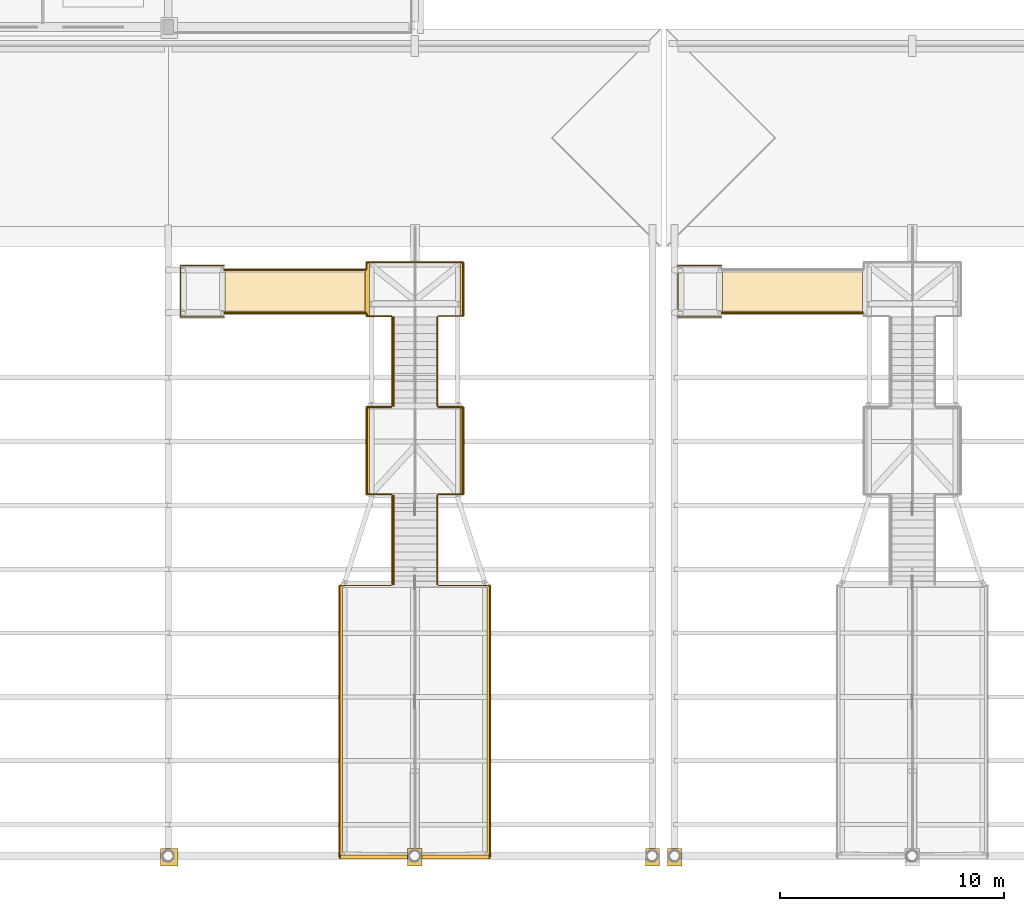
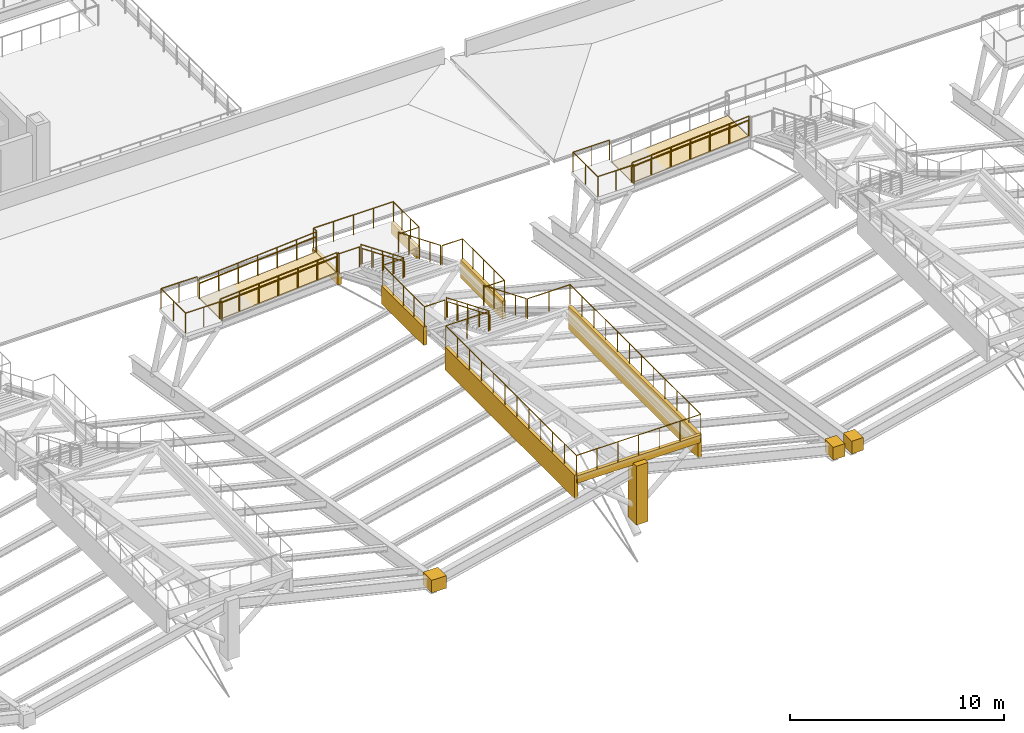
# One storey, part 37 of 43: 19 railings, 13 coverings.
"""IFC4 building model written with IfcOpenShell, lengths in metres."""

import ifcopenshell
import ifcopenshell.guid

model = None  # the IFC model being written
_history = None  # IfcOwnerHistory: only IFC2X3 demands one
_inside = {}  # id of a spatial element -> (the spatial element, [elements in it])
_under = {}  # id of a project, library or spatial element -> (it, [spatial elements below it])
_declared = {}  # id of a project -> (the project, [libraries it declares])
_typed = {}  # id of a type object -> (the type object, [elements of that type])
_made_of = {}  # id of a material, layer set ... -> (it, [elements and type objects made of it])


def new_model(schema):
    """Start an empty IFC model of exactly this schema.

    Asked for "IFC4X3", IfcOpenShell would pick the latest addendum, in which some entities
    have other attributes; the version numbers below select the first issue.
    IFC2X3 requires an IfcOwnerHistory on every rooted entity: one is made here for all.
    """
    global model, _history
    if schema == "IFC4X3":
        model = ifcopenshell.file(schema_version=(4, 3, 0, 0))
    else:
        model = ifcopenshell.file(schema=schema)
    _inside.clear()
    _under.clear()
    _declared.clear()
    _typed.clear()
    _made_of.clear()
    _history = None
    if model.schema == "IFC2X3":
        org = make("IfcOrganization", Name="unknown")
        user = make(
            "IfcPersonAndOrganization",
            ThePerson=make("IfcPerson", FamilyName="unknown"),
            TheOrganization=org,
        )
        app = make(
            "IfcApplication",
            ApplicationDeveloper=org,
            Version="unknown",
            ApplicationFullName="unknown",
            ApplicationIdentifier="unknown",
        )
        _history = make(
            "IfcOwnerHistory",
            OwningUser=user,
            OwningApplication=app,
            ChangeAction="ADDED",
            CreationDate=0,
        )
    return model


def make(cls, **values):
    """One entity of the class cls with the attributes given. An attribute that is None is left unset."""
    return model.create_entity(
        cls, **{name: value for name, value in values.items() if value is not None}
    )


def rooted(cls, **values):
    """An entity with a GlobalId (a new one), such as an element, a storey or a relation."""
    return make(cls, GlobalId=ifcopenshell.guid.new(), OwnerHistory=_history, **values)


def si_unit(unit_type, name, prefix=None):
    """IfcSIUnit, for example si_unit("LENGTHUNIT", "METRE", prefix="MILLI")."""
    return make("IfcSIUnit", UnitType=unit_type, Prefix=prefix, Name=name)


def assignment(units):
    """IfcUnitAssignment: the units of a project."""
    return None if units is None else make("IfcUnitAssignment", Units=units)


def point(xyz):
    """IfcCartesianPoint."""
    return None if xyz is None else make("IfcCartesianPoint", Coordinates=xyz)


def direction(xyz):
    """IfcDirection."""
    return None if xyz is None else make("IfcDirection", DirectionRatios=xyz)


def frame(location, z_axis=None, x_axis=None):
    """IfcAxis2Placement3D, a coordinate frame: its origin and axes. An axis left out is left unset."""
    return make(
        "IfcAxis2Placement3D",
        Location=point(location),
        Axis=direction(z_axis),
        RefDirection=direction(x_axis),
    )


def frame_2d(location, x_axis=None):
    """IfcAxis2Placement2D, a coordinate frame in the plane: its origin and x axis."""
    return make(
        "IfcAxis2Placement2D", Location=point(location), RefDirection=direction(x_axis)
    )


def origin():
    """The frame at (0, 0, 0) with its axes left unset."""
    return frame((0.0, 0.0, 0.0))


def origin_2d():
    """The frame at (0, 0) in the plane with its x axis left unset."""
    return frame_2d((0.0, 0.0))


def place(relative_to, where):
    """IfcLocalPlacement: puts the frame where relative to a parent placement (None: the world)."""
    return make(
        "IfcLocalPlacement", PlacementRelTo=relative_to, RelativePlacement=where
    )


def context(
    kind, dimensions, precision=None, world=None, true_north=None, identifier=None
):
    """IfcGeometricRepresentationContext, for example the 3D "Model" context."""
    return make(
        "IfcGeometricRepresentationContext",
        ContextIdentifier=identifier,
        ContextType=kind,
        CoordinateSpaceDimension=dimensions,
        Precision=precision,
        WorldCoordinateSystem=world,
        TrueNorth=true_north,
    )


def subcontext(parent, identifier, kind, view, scale=None):
    """IfcGeometricRepresentationSubContext, for example "Body" below "Model"."""
    return make(
        "IfcGeometricRepresentationSubContext",
        ContextIdentifier=identifier,
        ContextType=kind,
        ParentContext=parent,
        TargetScale=scale,
        TargetView=view,
    )


def project(units=None, contexts=None):
    """IfcProject with its units and contexts."""
    return rooted(
        "IfcProject",
        Name="project",
        RepresentationContexts=contexts,
        UnitsInContext=assignment(units),
    )


def spatial(cls, under=None, at=None, **own):
    """A site, building, storey or space (cls), placed at a placement, below another one or the project."""
    s = rooted(cls, ObjectPlacement=at, **own)
    if under is not None:
        _under.setdefault(under.id(), (under, []))[1].append(s)
    return s


def polyline(points):
    """IfcPolyline through the points."""
    return make("IfcPolyline", Points=[point(p) for p in points])


def profile(cls, at=None, kind="AREA", **sizes):
    """A parametric profile (cls). Its sizes go by their IFC names, for example OverallWidth=200.0."""
    return make(cls, ProfileType=kind, Position=at, **sizes)


def rectangle(**sizes):
    """IfcRectangleProfileDef."""
    return profile("IfcRectangleProfileDef", **sizes)


def circle(**sizes):
    """IfcCircleProfileDef."""
    return profile("IfcCircleProfileDef", **sizes)


def outline(outer, holes=None, kind="AREA"):
    """IfcArbitraryClosedProfileDef: a profile drawn as a closed curve; with holes, ...WithVoids."""
    if holes is None:
        return make("IfcArbitraryClosedProfileDef", ProfileType=kind, OuterCurve=outer)
    return make(
        "IfcArbitraryProfileDefWithVoids",
        ProfileType=kind,
        OuterCurve=outer,
        InnerCurves=holes,
    )


def extrude(swept, where, along, depth):
    """IfcExtrudedAreaSolid: the profile swept, set in the frame where, extruded along a direction by depth."""
    return make(
        "IfcExtrudedAreaSolid",
        SweptArea=swept,
        Position=where,
        ExtrudedDirection=direction(along),
        Depth=depth,
    )


def shape(context_of_items, identifier, shape_type, items):
    """IfcShapeRepresentation: the items that make up one representation, for example the "Body"."""
    return make(
        "IfcShapeRepresentation",
        ContextOfItems=context_of_items,
        RepresentationIdentifier=identifier,
        RepresentationType=shape_type,
        Items=items,
    )


def material(Name=None, Category=None):
    """IfcMaterial."""
    return make("IfcMaterial", Name=Name, Category=Category)


def layer(
    of_material, thickness, ventilated=None, Name=None, Category=None, Priority=None
):
    """IfcMaterialLayer: one layer of a wall or slab, of a material (None: an air gap)."""
    return make(
        "IfcMaterialLayer",
        Material=of_material,
        LayerThickness=thickness,
        IsVentilated=ventilated,
        Name=Name,
        Category=Category,
        Priority=Priority,
    )


def layer_set(layers, Name=None):
    """IfcMaterialLayerSet."""
    return make("IfcMaterialLayerSet", MaterialLayers=layers, LayerSetName=Name)


def made_of(thing, what):
    """Note that an element or type object is made of a material, layer set ...; save() writes the relation."""
    if what is not None:
        _made_of.setdefault(what.id(), (what, []))[1].append(thing)
    return thing


def type_object(cls, material=None, **own):
    """A type object (cls), such as IfcWallType, which elements share."""
    return made_of(rooted(cls, **own), material)


def element(
    cls,
    number,
    at=None,
    inside=None,
    cuts=None,
    type_object=None,
    material=None,
    context=None,
    identifier="Body",
    shape_type=None,
    held_by="IfcProductDefinitionShape",
    body=None,
    shapes=None,
    **own,
):
    """One element of the class cls, such as IfcWall. Its Tag is "e" and its number.

    at: its placement. inside: the storey or other place that contains it. cuts: it is an
    opening in that element (IfcRelVoidsElement). A single representation is given by context,
    identifier, shape_type and body (its items); several are given by shapes. held_by: the class
    of the entity that holds the representations. save() writes the other relations.
    """
    e = rooted(cls, Tag="e%d" % number, ObjectPlacement=at, **own)
    if body is not None:
        shapes = [shape(context, identifier, shape_type, body)]
    if shapes is not None:
        e.Representation = make(held_by, Representations=shapes)
    if inside is not None:
        _inside.setdefault(inside.id(), (inside, []))[1].append(e)
    if cuts is not None:
        rooted(
            "IfcRelVoidsElement", RelatingBuildingElement=cuts, RelatedOpeningElement=e
        )
    if type_object is not None:
        _typed.setdefault(type_object.id(), (type_object, []))[1].append(e)
    return made_of(e, material)


def aggregate(whole, parts):
    """IfcRelAggregates: a whole, such as a stair, and the parts it consists of."""
    return rooted("IfcRelAggregates", RelatingObject=whole, RelatedObjects=parts)


def save(model, path):
    """Write the relations noted so far, then the file.

    IfcRelAggregates (storeys below a building ...), IfcRelContainedInSpatialStructure (elements
    in a storey), IfcRelDefinesByType, IfcRelAssociatesMaterial and IfcRelDeclares: one each for
    every whole, place, type object, material and project.
    """
    for whole, parts in _under.values():
        aggregate(whole, parts)
    for where, things in _inside.values():
        rooted(
            "IfcRelContainedInSpatialStructure",
            RelatedElements=things,
            RelatingStructure=where,
        )
    for kind, things in _typed.values():
        rooted("IfcRelDefinesByType", RelatedObjects=things, RelatingType=kind)
    for what, things in _made_of.values():
        rooted("IfcRelAssociatesMaterial", RelatedObjects=things, RelatingMaterial=what)
    for by, libraries in _declared.values():
        rooted("IfcRelDeclares", RelatingContext=by, RelatedDefinitions=libraries)
    model.write(path)


model = new_model("IFC4")

# Units and contexts
model_context = context("Model", 3, precision=1e-05, world=origin(), true_north=direction((0.0, 1.0)))
body_context = subcontext(model_context, "Body", "Model", "MODEL_VIEW")
ifc_project = project(units=[si_unit("LENGTHUNIT", "METRE"), si_unit("AREAUNIT", "SQUARE_METRE"), si_unit("VOLUMEUNIT", "CUBIC_METRE"), si_unit("PLANEANGLEUNIT", "RADIAN"), si_unit("MASSUNIT", "GRAM", prefix="KILO")], contexts=[model_context])

# Site, building, storey
site_placement = place(None, origin())
site = spatial("IfcSite", under=ifc_project, at=site_placement, CompositionType="ELEMENT")
building_placement = place(site_placement, origin())
building = spatial("IfcBuilding", under=site, at=building_placement, Name="Caurita Quay Ferry Terminal", CompositionType="ELEMENT")
storey_placement = place(building_placement, frame((0.0, 0.0, 14.10009765625)))
storey = spatial("IfcBuildingStorey", under=building, at=storey_placement, Name="L03", CompositionType="ELEMENT", Elevation=14.10009765625)

# Coverings
ifc_material_1 = material(Name="Warm-white lime stucco masonry", Category="masonry")
ifc_layer_1 = layer(ifc_material_1, 0.360107421875, Name="Spanish Colonial semicircular lime-stucco portales arcade 360 mm")
ifc_layer_set_1 = layer_set([ifc_layer_1], Name="Warm-white lime stucco masonry")
covering_type_1 = type_object("IfcCoveringType", Name="COV-ARC-CLD", PredefinedType="CLADDING", material=ifc_layer_set_1)
for number, where, z_axis, x_axis, name in (
    (1, (73.679931640625, 46.64990234375, 2.349853515625), (0.0, 0.0, 1.0), (0.0, -1.0, 0.0), "Folded Roof Bay 4 Lookout Stucco Skirt 01"),
    (2, (80.320068359375, 34.550048828125, 2.349853515625), (0.0, 0.0, 1.0), (0.0, 1.0, 0.0), "Folded Roof Bay 4 Lookout Stucco Skirt 02"),
):
    element("IfcCovering", number, at=place(storey_placement, frame(where, z_axis=z_axis, x_axis=x_axis)), inside=storey, type_object=covering_type_1, Name=name, PredefinedType="CLADDING", context=body_context, shape_type="SweptSolid", body=[
        extrude(rectangle(XDim=12.099853515625, YDim=0.179931640625, at=frame_2d((6.0498046875, 0.0))), origin(), (0.0, 0.0, 1.0), 1.330078125),
    ])
covering_1_placement = place(storey_placement, frame((73.679931640625, 34.550048828125, 3.25), z_axis=(0.0, 0.0, 1.0), x_axis=(1.0, 0.0, 0.0)))
element("IfcCovering", 3, at=covering_1_placement, inside=storey, type_object=covering_type_1, Name="Folded Roof Bay 4 Lookout Stucco Skirt 03", PredefinedType="CLADDING", context=body_context, shape_type="SweptSolid", body=[
    extrude(rectangle(XDim=6.64013671875, YDim=0.179931640625, at=frame_2d((3.320068359375, 0.0))), origin(), (0.0, 0.0, 1.0), 0.429931640625),
])
for number, where, z_axis, x_axis, name in (
    (4, (74.8798828125, 54.64990234375, 0.849853515625), (0.0, 0.0, 1.0), (0.0, -1.0, 0.0), "Folded Roof Bay 4 Lookout Stucco Skirt 04"),
    (5, (79.1201171875, 50.72998046875, 0.849853515625), (0.0, 0.0, 1.0), (0.0, 1.0, 0.0), "Folded Roof Bay 4 Lookout Stucco Skirt 05"),
):
    element("IfcCovering", number, at=place(storey_placement, frame(where, z_axis=z_axis, x_axis=x_axis)), inside=storey, type_object=covering_type_1, Name=name, PredefinedType="CLADDING", context=body_context, shape_type="SweptSolid", body=[
        extrude(rectangle(XDim=3.919921875, YDim=0.179931640625, at=frame_2d((1.9599609375, 0.0))), origin(), (0.0, 0.0, 1.0), 1.030029296875),
    ])
for number, where, z_axis, x_axis, name in (
    (6, (74.8798828125, 61.10009765625, -0.550048828125), (0.0, 0.0, 1.0), (0.0, -1.0, 0.0), "Folded Roof Bay 4 Lookout Stucco Skirt 06"),
    (7, (79.1201171875, 58.699951171875, -0.550048828125), (0.0, 0.0, 1.0), (0.0, 1.0, 0.0), "Folded Roof Bay 4 Lookout Stucco Skirt 07"),
):
    element("IfcCovering", number, at=place(storey_placement, frame(where, z_axis=z_axis, x_axis=x_axis)), inside=storey, type_object=covering_type_1, Name=name, PredefinedType="CLADDING", context=body_context, shape_type="SweptSolid", body=[
        extrude(rectangle(XDim=2.400146484375, YDim=0.179931640625, at=frame_2d((1.2001953125, 0.0))), origin(), (0.0, 0.0, 1.0), 0.6298828125),
    ])
ifc_material_2 = material(Name="Polished marine terrazzo tile", Category="finish")
ifc_layer_2 = layer(ifc_material_2, 0.02490234375, Name="Polished marine terrazzo floor finish 25 mm")
ifc_layer_set_2 = layer_set([ifc_layer_2], Name="Polished marine terrazzo tile")
covering_type_2 = type_object("IfcCoveringType", Name="COV-FLR-025", PredefinedType="FLOORING", material=ifc_layer_set_2)
for number, where, z_axis, x_axis, name in (
    (8, (68.530029296875, 58.840087890625, -0.35009765625), (-0.071920937813, 0.0, 0.997410336173), (0.997410336173, 0.0, 0.071920937813), "Folded Roof Bay 4 Accessible Ramp Terrazzo Deck"),
    (9, (90.72998046875, 58.840087890625, -0.35009765625), (-0.071920937813, 0.0, 0.997410336173), (0.997410336173, 0.0, 0.071920937813), "Folded Roof Bay 5 Accessible Ramp Terrazzo Deck"),
):
    element("IfcCovering", number, at=place(storey_placement, frame(where, z_axis=z_axis, x_axis=x_axis)), inside=storey, type_object=covering_type_2, Name=name, PredefinedType="FLOORING", context=body_context, shape_type="SweptSolid", body=[
        extrude(outline(polyline([(0.0, 0.0), (6.256191667633518, 0.0), (6.256191667633518, 1.9199218750000004), (0.0, 1.9199218750000004), (0.0, 0.0)])), origin(), (0.0, 0.0, -1.0), 0.06005859375),
    ])
ifc_layer_3 = layer(ifc_material_1, 0.179931640625, Name="Classical engaged lime-stucco facade pilaster cladding 180 mm")
ifc_layer_set_3 = layer_set([ifc_layer_3], Name="Warm-white lime stucco masonry")
covering_type_3 = type_object("IfcCoveringType", Name="COV-PIL-CLD", PredefinedType="CLADDING", material=ifc_layer_set_3)
covering_2_placement = place(storey_placement, frame((66.050048828125, 34.550048828125, 0.0), z_axis=(0.0, 0.0, 1.0), x_axis=(1.0, 0.0, 0.0)))
element("IfcCovering", 10, at=covering_2_placement, inside=storey, type_object=covering_type_3, Name="L03 Classical Engaged Pilaster 0057", PredefinedType="CLADDING", context=body_context, shape_type="SweptSolid", body=[
    extrude(rectangle(XDim=0.7880859375, YDim=0.7880859375, at=origin_2d()), origin(), (0.0, 0.0, 1.0), 0.719970703125),
])
covering_3_placement = place(storey_placement, frame((77.0, 34.550048828125, 0.0), z_axis=(0.0, 0.0, 1.0), x_axis=(1.0, 0.0, 0.0)))
element("IfcCovering", 11, at=covering_3_placement, inside=storey, type_object=covering_type_3, Name="L03 Classical Engaged Pilaster 0064", PredefinedType="CLADDING", context=body_context, shape_type="SweptSolid", body=[
    extrude(rectangle(XDim=0.6279296875, YDim=0.7880859375, at=origin_2d()), origin(), (0.0, 0.0, 1.0), 3.360107421875),
])
for number, where, z_axis, x_axis, name in (
    (12, (87.60009765625, 34.550048828125, 0.0), (0.0, 0.0, 1.0), (1.0, 0.0, 0.0), "L03 Classical Engaged Pilaster 0072"),
    (13, (88.60009765625, 34.550048828125, 0.0), (0.0, 0.0, 1.0), (1.0, 0.0, 0.0), "L03 Classical Engaged Pilaster 0085"),
):
    element("IfcCovering", number, at=place(storey_placement, frame(where, z_axis=z_axis, x_axis=x_axis)), inside=storey, type_object=covering_type_3, Name=name, PredefinedType="CLADDING", context=body_context, shape_type="SweptSolid", body=[
        extrude(rectangle(XDim=0.6279296875, YDim=0.7880859375, at=origin_2d()), origin(), (0.0, 0.0, 1.0), 0.719970703125),
    ])

# Railings
ifc_material_3 = material(Name="Bronze architectural metalwork", Category="metal")
railing_type_1 = type_object("IfcRailingType", Name="RL-HND-090", PredefinedType="HANDRAIL", material=ifc_material_3)
railing_1_placement = place(storey_placement, frame((76.06005859375, 58.64990234375, 0.25)))
element("IfcRailing", 14, at=railing_1_placement, inside=storey, type_object=railing_type_1, Name="Waterside Peak Lookout 4 Handrail 1", PredefinedType="HANDRAIL", context=body_context, shape_type="SweptSolid", body=[
    extrude(circle(Radius=0.02392578125, at=origin_2d()), frame((0.0, 0.0, 0.8759765625), z_axis=(0.0, -0.923083657872, 0.384599220709), x_axis=(1.0, 0.0, 0.0)), (0.0, 0.0, 1.0), 4.2900390625),
    extrude(circle(Radius=0.02099609375, at=origin_2d()), origin(), (0.0, 0.0, 1.0), 0.851806640625),
    extrude(circle(Radius=0.02099609375, at=origin_2d()), frame((0.0, -0.989990234375, 0.41259765625)), (0.0, 0.0, 1.0), 0.851806640625),
    extrude(circle(Radius=0.02099609375, at=origin_2d()), frame((0.0, -1.97998046875, 0.824951171875)), (0.0, 0.0, 1.0), 0.851806640625),
    extrude(circle(Radius=0.02099609375, at=origin_2d()), frame((0.0, -2.969970703125, 1.2373046875)), (0.0, 0.0, 1.0), 0.851806640625),
    extrude(circle(Radius=0.02099609375, at=origin_2d()), frame((0.0, -3.9599609375, 1.64990234375)), (0.0, 0.0, 1.0), 0.851806640625),
])
railing_2_placement = place(storey_placement, frame((76.06005859375, 50.68994140625, 2.0498046875)))
element("IfcRailing", 15, at=railing_2_placement, inside=storey, type_object=railing_type_1, Name="Waterside Peak Lookout 4 Handrail 2", PredefinedType="HANDRAIL", context=body_context, shape_type="SweptSolid", body=[
    extrude(circle(Radius=0.02392578125, at=origin_2d()), frame((0.0, 0.0, 0.8759765625), z_axis=(0.0, -0.923063452933, 0.384647711367), x_axis=(1.0, 0.0, 0.0)), (0.0, 0.0, 1.0), 4.2900390625),
    extrude(circle(Radius=0.02099609375, at=origin_2d()), origin(), (0.0, 0.0, 1.0), 0.851806640625),
    extrude(circle(Radius=0.02099609375, at=origin_2d()), frame((0.0, -0.989990234375, 0.41259765625)), (0.0, 0.0, 1.0), 0.851806640625),
    extrude(circle(Radius=0.02099609375, at=origin_2d()), frame((0.0, -1.97998046875, 0.8251953125)), (0.0, 0.0, 1.0), 0.851806640625),
    extrude(circle(Radius=0.02099609375, at=origin_2d()), frame((0.0, -2.969970703125, 1.237548828125)), (0.0, 0.0, 1.0), 0.851806640625),
    extrude(circle(Radius=0.02099609375, at=origin_2d()), frame((0.0, -3.9599609375, 1.650146484375)), (0.0, 0.0, 1.0), 0.851806640625),
])
for number, where, name in (
    (16, (68.5, 58.860107421875, -0.35009765625), "Folded Roof Bay 4 Accessible Lookout Ramp Handrail 1"),
    (17, (68.5, 60.739990234375, -0.35009765625), "Folded Roof Bay 4 Accessible Lookout Ramp Handrail 2"),
    (18, (90.699951171875, 58.860107421875, -0.35009765625), "Folded Roof Bay 5 Accessible Lookout Ramp Handrail 1"),
):
    element("IfcRailing", number, at=place(storey_placement, frame(where)), inside=storey, type_object=railing_type_1, Name=name, PredefinedType="HANDRAIL", context=body_context, shape_type="SweptSolid", body=[
        extrude(circle(Radius=0.02392578125, at=origin_2d()), frame((0.0, 0.0, 0.8759765625), z_axis=(0.997459288432, 0.0, 0.07123880909), x_axis=(0.0, 1.0, 0.0)), (0.0, 0.0, 1.0), 6.316162109375),
        extrude(circle(Radius=0.02099609375, at=origin_2d()), origin(), (0.0, 0.0, 1.0), 0.851806640625),
        extrude(circle(Radius=0.02099609375, at=origin_2d()), frame((1.050048828125, 0.0, 0.074951171875)), (0.0, 0.0, 1.0), 0.851806640625),
        extrude(circle(Radius=0.02099609375, at=origin_2d()), frame((2.10009765625, 0.0, 0.14990234375)), (0.0, 0.0, 1.0), 0.851806640625),
        extrude(circle(Radius=0.02099609375, at=origin_2d()), frame((3.14990234375, 0.0, 0.22509765625)), (0.0, 0.0, 1.0), 0.851806640625),
        extrude(circle(Radius=0.02099609375, at=origin_2d()), frame((4.199951171875, 0.0, 0.300048828125)), (0.0, 0.0, 1.0), 0.851806640625),
        extrude(circle(Radius=0.02099609375, at=origin_2d()), frame((5.25, 0.0, 0.375)), (0.0, 0.0, 1.0), 0.851806640625),
        extrude(circle(Radius=0.02099609375, at=origin_2d()), frame((6.300048828125, 0.0, 0.449951171875)), (0.0, 0.0, 1.0), 0.851806640625),
    ])
railing_type_2 = type_object("IfcRailingType", Name="RL-REJA-115", PredefinedType="BALUSTRADE", material=ifc_material_3)
railing_3_placement = place(storey_placement, frame((75.949951171875, 58.699951171875, 0.099853515625)))
element("IfcRailing", 19, at=railing_3_placement, inside=storey, type_object=railing_type_2, Name="Waterside Peak Lookout 4 Guardrail 1", PredefinedType="BALUSTRADE", context=body_context, shape_type="SweptSolid", body=[
    extrude(circle(Radius=0.02392578125, at=origin_2d()), frame((0.0, 0.0, 1.1259765625), z_axis=(-1.0, 0.0, 0.0), x_axis=(0.0, -1.0, 0.0)), (0.0, 0.0, 1.0), 1.099853515625),
    extrude(circle(Radius=0.02392578125, at=origin_2d()), frame((-1.099853515625, 0.0, 1.1259765625), z_axis=(0.0, 1.0, 0.0), x_axis=(-1.0, 0.0, 0.0)), (0.0, 0.0, 1.0), 0.10009765625),
    extrude(circle(Radius=0.02099609375, at=origin_2d()), origin(), (0.0, 0.0, 1.0), 1.101806640625),
    extrude(circle(Radius=0.02099609375, at=origin_2d()), frame((-1.099853515625, 0.0, 0.0)), (0.0, 0.0, 1.0), 1.101806640625),
    extrude(circle(Radius=0.02099609375, at=origin_2d()), frame((-1.099853515625, 0.10009765625, 0.0)), (0.0, 0.0, 1.0), 1.101806640625),
])
railing_4_placement = place(storey_placement, frame((74.85009765625, 60.800048828125, 0.099853515625)))
element("IfcRailing", 20, at=railing_4_placement, inside=storey, type_object=railing_type_2, Name="Waterside Peak Lookout 4 Guardrail 2", PredefinedType="BALUSTRADE", context=body_context, shape_type="SweptSolid", body=[
    extrude(circle(Radius=0.02392578125, at=origin_2d()), frame((0.0, 0.0, 1.1259765625), z_axis=(0.0, 1.0, 0.0), x_axis=(-1.0, 0.0, 0.0)), (0.0, 0.0, 1.0), 0.300048828125),
    extrude(circle(Radius=0.02392578125, at=origin_2d()), frame((0.0, 0.300048828125, 1.1259765625), z_axis=(1.0, 0.0, 0.0), x_axis=(0.0, 1.0, 0.0)), (0.0, 0.0, 1.0), 4.2998046875),
    extrude(circle(Radius=0.02392578125, at=origin_2d()), frame((4.2998046875, 0.300048828125, 1.1259765625), z_axis=(0.0, -1.0, 0.0), x_axis=(1.0, 0.0, 0.0)), (0.0, 0.0, 1.0), 2.400146484375),
    extrude(circle(Radius=0.02392578125, at=origin_2d()), frame((4.2998046875, -2.10009765625, 1.1259765625), z_axis=(-1.0, 0.0, 0.0), x_axis=(0.0, -1.0, 0.0)), (0.0, 0.0, 1.0), 1.099853515625),
    extrude(circle(Radius=0.02099609375, at=origin_2d()), origin(), (0.0, 0.0, 1.0), 1.101806640625),
    extrude(circle(Radius=0.02099609375, at=origin_2d()), frame((0.0, 0.300048828125, 0.0)), (0.0, 0.0, 1.0), 1.101806640625),
    extrude(circle(Radius=0.02099609375, at=origin_2d()), frame((1.074951171875, 0.300048828125, 0.0)), (0.0, 0.0, 1.0), 1.101806640625),
    extrude(circle(Radius=0.02099609375, at=origin_2d()), frame((2.14990234375, 0.300048828125, 0.0)), (0.0, 0.0, 1.0), 1.101806640625),
    extrude(circle(Radius=0.02099609375, at=origin_2d()), frame((3.224853515625, 0.300048828125, 0.0)), (0.0, 0.0, 1.0), 1.101806640625),
    extrude(circle(Radius=0.02099609375, at=origin_2d()), frame((4.2998046875, 0.300048828125, 0.0)), (0.0, 0.0, 1.0), 1.101806640625),
    extrude(circle(Radius=0.02099609375, at=origin_2d()), frame((4.2998046875, -0.5, 0.0)), (0.0, 0.0, 1.0), 1.101806640625),
    extrude(circle(Radius=0.02099609375, at=origin_2d()), frame((4.2998046875, -1.300048828125, 0.0)), (0.0, 0.0, 1.0), 1.101806640625),
    extrude(circle(Radius=0.02099609375, at=origin_2d()), frame((4.2998046875, -2.10009765625, 0.0)), (0.0, 0.0, 1.0), 1.101806640625),
    extrude(circle(Radius=0.02099609375, at=origin_2d()), frame((3.199951171875, -2.10009765625, 0.0)), (0.0, 0.0, 1.0), 1.101806640625),
])
for number, where, name in (
    (21, (76.0, 58.64990234375, 0.25), "Waterside Peak Lookout 4 Guardrail 3"),
    (22, (78.0, 58.64990234375, 0.25), "Waterside Peak Lookout 4 Guardrail 4"),
):
    element("IfcRailing", number, at=place(storey_placement, frame(where)), inside=storey, type_object=railing_type_2, Name=name, PredefinedType="BALUSTRADE", context=body_context, shape_type="SweptSolid", body=[
        extrude(circle(Radius=0.02392578125, at=origin_2d()), frame((0.0, 0.0, 1.1259765625), z_axis=(0.0, -0.923083657872, 0.384599220709), x_axis=(1.0, 0.0, 0.0)), (0.0, 0.0, 1.0), 4.2900390625),
        extrude(circle(Radius=0.02099609375, at=origin_2d()), origin(), (0.0, 0.0, 1.0), 1.101806640625),
        extrude(circle(Radius=0.02099609375, at=origin_2d()), frame((0.0, -0.989990234375, 0.41259765625)), (0.0, 0.0, 1.0), 1.101806640625),
        extrude(circle(Radius=0.02099609375, at=origin_2d()), frame((0.0, -1.97998046875, 0.824951171875)), (0.0, 0.0, 1.0), 1.101806640625),
        extrude(circle(Radius=0.02099609375, at=origin_2d()), frame((0.0, -2.969970703125, 1.2373046875)), (0.0, 0.0, 1.0), 1.101806640625),
        extrude(circle(Radius=0.02099609375, at=origin_2d()), frame((0.0, -3.9599609375, 1.64990234375)), (0.0, 0.0, 1.0), 1.101806640625),
    ])
railing_5_placement = place(storey_placement, frame((75.949951171875, 54.639892578125, 1.89990234375)))
element("IfcRailing", 23, at=railing_5_placement, inside=storey, type_object=railing_type_2, Name="Waterside Peak Lookout 4 Guardrail 5", PredefinedType="BALUSTRADE", context=body_context, shape_type="SweptSolid", body=[
    extrude(circle(Radius=0.02392578125, at=origin_2d()), frame((0.0, 0.0, 1.1259765625), z_axis=(-1.0, 0.0, 0.0), x_axis=(0.0, -1.0, 0.0)), (0.0, 0.0, 1.0), 1.099853515625),
    extrude(circle(Radius=0.02392578125, at=origin_2d()), frame((-1.099853515625, 0.0, 1.1259765625), z_axis=(0.0, -1.0, 0.0), x_axis=(1.0, 0.0, 0.0)), (0.0, 0.0, 1.0), 3.89990234375),
    extrude(circle(Radius=0.02392578125, at=origin_2d()), frame((-1.099853515625, -3.89990234375, 1.1259765625), z_axis=(1.0, 0.0, 0.0), x_axis=(0.0, 1.0, 0.0)), (0.0, 0.0, 1.0), 1.099853515625),
    extrude(circle(Radius=0.02099609375, at=origin_2d()), origin(), (0.0, 0.0, 1.0), 1.101806640625),
    extrude(circle(Radius=0.02099609375, at=origin_2d()), frame((-1.099853515625, 0.0, 0.0)), (0.0, 0.0, 1.0), 1.101806640625),
    extrude(circle(Radius=0.02099609375, at=origin_2d()), frame((-1.099853515625, -0.97509765625, 0.0)), (0.0, 0.0, 1.0), 1.101806640625),
    extrude(circle(Radius=0.02099609375, at=origin_2d()), frame((-1.099853515625, -1.949951171875, 0.0)), (0.0, 0.0, 1.0), 1.101806640625),
    extrude(circle(Radius=0.02099609375, at=origin_2d()), frame((-1.099853515625, -2.9248046875, 0.0)), (0.0, 0.0, 1.0), 1.101806640625),
    extrude(circle(Radius=0.02099609375, at=origin_2d()), frame((-1.099853515625, -3.89990234375, 0.0)), (0.0, 0.0, 1.0), 1.101806640625),
    extrude(circle(Radius=0.02099609375, at=origin_2d()), frame((0.0, -3.89990234375, 0.0)), (0.0, 0.0, 1.0), 1.101806640625),
])
railing_6_placement = place(storey_placement, frame((78.050048828125, 54.639892578125, 1.89990234375)))
element("IfcRailing", 24, at=railing_6_placement, inside=storey, type_object=railing_type_2, Name="Waterside Peak Lookout 4 Guardrail 6", PredefinedType="BALUSTRADE", context=body_context, shape_type="SweptSolid", body=[
    extrude(circle(Radius=0.02392578125, at=origin_2d()), frame((0.0, 0.0, 1.1259765625), z_axis=(1.0, 0.0, 0.0), x_axis=(0.0, 1.0, 0.0)), (0.0, 0.0, 1.0), 1.099853515625),
    extrude(circle(Radius=0.02392578125, at=origin_2d()), frame((1.099853515625, 0.0, 1.1259765625), z_axis=(0.0, -1.0, 0.0), x_axis=(1.0, 0.0, 0.0)), (0.0, 0.0, 1.0), 3.89990234375),
    extrude(circle(Radius=0.02392578125, at=origin_2d()), frame((1.099853515625, -3.89990234375, 1.1259765625), z_axis=(-1.0, 0.0, 0.0), x_axis=(0.0, -1.0, 0.0)), (0.0, 0.0, 1.0), 1.099853515625),
    extrude(circle(Radius=0.02099609375, at=origin_2d()), origin(), (0.0, 0.0, 1.0), 1.101806640625),
    extrude(circle(Radius=0.02099609375, at=origin_2d()), frame((1.099853515625, 0.0, 0.0)), (0.0, 0.0, 1.0), 1.101806640625),
    extrude(circle(Radius=0.02099609375, at=origin_2d()), frame((1.099853515625, -0.97509765625, 0.0)), (0.0, 0.0, 1.0), 1.101806640625),
    extrude(circle(Radius=0.02099609375, at=origin_2d()), frame((1.099853515625, -1.949951171875, 0.0)), (0.0, 0.0, 1.0), 1.101806640625),
    extrude(circle(Radius=0.02099609375, at=origin_2d()), frame((1.099853515625, -2.9248046875, 0.0)), (0.0, 0.0, 1.0), 1.101806640625),
    extrude(circle(Radius=0.02099609375, at=origin_2d()), frame((1.099853515625, -3.89990234375, 0.0)), (0.0, 0.0, 1.0), 1.101806640625),
    extrude(circle(Radius=0.02099609375, at=origin_2d()), frame((0.0, -3.89990234375, 0.0)), (0.0, 0.0, 1.0), 1.101806640625),
])
for number, where, name in (
    (25, (76.0, 50.68994140625, 2.0498046875), "Waterside Peak Lookout 4 Guardrail 7"),
    (26, (78.0, 50.68994140625, 2.0498046875), "Waterside Peak Lookout 4 Guardrail 8"),
):
    element("IfcRailing", number, at=place(storey_placement, frame(where)), inside=storey, type_object=railing_type_2, Name=name, PredefinedType="BALUSTRADE", context=body_context, shape_type="SweptSolid", body=[
        extrude(circle(Radius=0.02392578125, at=origin_2d()), frame((0.0, 0.0, 1.1259765625), z_axis=(0.0, -0.923063452933, 0.384647711367), x_axis=(1.0, 0.0, 0.0)), (0.0, 0.0, 1.0), 4.2900390625),
        extrude(circle(Radius=0.02099609375, at=origin_2d()), origin(), (0.0, 0.0, 1.0), 1.101806640625),
        extrude(circle(Radius=0.02099609375, at=origin_2d()), frame((0.0, -0.989990234375, 0.41259765625)), (0.0, 0.0, 1.0), 1.101806640625),
        extrude(circle(Radius=0.02099609375, at=origin_2d()), frame((0.0, -1.97998046875, 0.8251953125)), (0.0, 0.0, 1.0), 1.101806640625),
        extrude(circle(Radius=0.02099609375, at=origin_2d()), frame((0.0, -2.969970703125, 1.237548828125)), (0.0, 0.0, 1.0), 1.101806640625),
        extrude(circle(Radius=0.02099609375, at=origin_2d()), frame((0.0, -3.9599609375, 1.650146484375)), (0.0, 0.0, 1.0), 1.101806640625),
    ])
railing_7_placement = place(storey_placement, frame((75.949951171875, 46.679931640625, 3.699951171875)))
element("IfcRailing", 27, at=railing_7_placement, inside=storey, type_object=railing_type_2, Name="Waterside Peak Lookout 4 Guardrail 9", PredefinedType="BALUSTRADE", context=body_context, shape_type="SweptSolid", body=[
    extrude(circle(Radius=0.02392578125, at=origin_2d()), frame((0.0, 0.0, 1.1259765625), z_axis=(-1.0, 0.0, 0.0), x_axis=(0.0, -1.0, 0.0)), (0.0, 0.0, 1.0), 2.300048828125),
    extrude(circle(Radius=0.02392578125, at=origin_2d()), frame((-2.300048828125, 0.0, 1.1259765625), z_axis=(0.0, -1.0, 0.0), x_axis=(1.0, 0.0, 0.0)), (0.0, 0.0, 1.0), 12.179931640625),
    extrude(circle(Radius=0.02392578125, at=origin_2d()), frame((-2.300048828125, -12.179931640625, 1.1259765625), z_axis=(1.0, 0.0, 0.0), x_axis=(0.0, 1.0, 0.0)), (0.0, 0.0, 1.0), 6.7001953125),
    extrude(circle(Radius=0.02392578125, at=origin_2d()), frame((4.400146484375, -12.179931640625, 1.1259765625), z_axis=(0.0, 1.0, 0.0), x_axis=(-1.0, 0.0, 0.0)), (0.0, 0.0, 1.0), 12.179931640625),
    extrude(circle(Radius=0.02392578125, at=origin_2d()), frame((4.400146484375, 0.0, 1.1259765625), z_axis=(-1.0, 0.0, 0.0), x_axis=(0.0, -1.0, 0.0)), (0.0, 0.0, 1.0), 2.300048828125),
    extrude(circle(Radius=0.02099609375, at=origin_2d()), origin(), (0.0, 0.0, 1.0), 1.101806640625),
    extrude(circle(Radius=0.02099609375, at=origin_2d()), frame((-1.14990234375, 0.0, 0.0)), (0.0, 0.0, 1.0), 1.101806640625),
    extrude(circle(Radius=0.02099609375, at=origin_2d()), frame((-2.300048828125, 0.0, 0.0)), (0.0, 0.0, 1.0), 1.101806640625),
    extrude(circle(Radius=0.02099609375, at=origin_2d()), frame((-2.300048828125, -1.107177734375, 0.0)), (0.0, 0.0, 1.0), 1.101806640625),
    extrude(circle(Radius=0.02099609375, at=origin_2d()), frame((-2.300048828125, -2.214599609375, 0.0)), (0.0, 0.0, 1.0), 1.101806640625),
    extrude(circle(Radius=0.02099609375, at=origin_2d()), frame((-2.300048828125, -3.32177734375, 0.0)), (0.0, 0.0, 1.0), 1.101806640625),
    extrude(circle(Radius=0.02099609375, at=origin_2d()), frame((-2.300048828125, -4.428955078125, 0.0)), (0.0, 0.0, 1.0), 1.101806640625),
    extrude(circle(Radius=0.02099609375, at=origin_2d()), frame((-2.300048828125, -5.536376953125, 0.0)), (0.0, 0.0, 1.0), 1.101806640625),
    extrude(circle(Radius=0.02099609375, at=origin_2d()), frame((-2.300048828125, -6.6435546875, 0.0)), (0.0, 0.0, 1.0), 1.101806640625),
    extrude(circle(Radius=0.02099609375, at=origin_2d()), frame((-2.300048828125, -7.7509765625, 0.0)), (0.0, 0.0, 1.0), 1.101806640625),
    extrude(circle(Radius=0.02099609375, at=origin_2d()), frame((-2.300048828125, -8.858154296875, 0.0)), (0.0, 0.0, 1.0), 1.101806640625),
    extrude(circle(Radius=0.02099609375, at=origin_2d()), frame((-2.300048828125, -9.96533203125, 0.0)), (0.0, 0.0, 1.0), 1.101806640625),
    extrude(circle(Radius=0.02099609375, at=origin_2d()), frame((-2.300048828125, -11.07275390625, 0.0)), (0.0, 0.0, 1.0), 1.101806640625),
    extrude(circle(Radius=0.02099609375, at=origin_2d()), frame((-2.300048828125, -12.179931640625, 0.0)), (0.0, 0.0, 1.0), 1.101806640625),
    extrude(circle(Radius=0.02099609375, at=origin_2d()), frame((-1.183349609375, -12.179931640625, 0.0)), (0.0, 0.0, 1.0), 1.101806640625),
    extrude(circle(Radius=0.02099609375, at=origin_2d()), frame((-0.066650390625, -12.179931640625, 0.0)), (0.0, 0.0, 1.0), 1.101806640625),
    extrude(circle(Radius=0.02099609375, at=origin_2d()), frame((1.050048828125, -12.179931640625, 0.0)), (0.0, 0.0, 1.0), 1.101806640625),
    extrude(circle(Radius=0.02099609375, at=origin_2d()), frame((2.166748046875, -12.179931640625, 0.0)), (0.0, 0.0, 1.0), 1.101806640625),
    extrude(circle(Radius=0.02099609375, at=origin_2d()), frame((3.283447265625, -12.179931640625, 0.0)), (0.0, 0.0, 1.0), 1.101806640625),
    extrude(circle(Radius=0.02099609375, at=origin_2d()), frame((4.400146484375, -12.179931640625, 0.0)), (0.0, 0.0, 1.0), 1.101806640625),
    extrude(circle(Radius=0.02099609375, at=origin_2d()), frame((4.400146484375, -11.07275390625, 0.0)), (0.0, 0.0, 1.0), 1.101806640625),
    extrude(circle(Radius=0.02099609375, at=origin_2d()), frame((4.400146484375, -9.96533203125, 0.0)), (0.0, 0.0, 1.0), 1.101806640625),
    extrude(circle(Radius=0.02099609375, at=origin_2d()), frame((4.400146484375, -8.858154296875, 0.0)), (0.0, 0.0, 1.0), 1.101806640625),
    extrude(circle(Radius=0.02099609375, at=origin_2d()), frame((4.400146484375, -7.7509765625, 0.0)), (0.0, 0.0, 1.0), 1.101806640625),
    extrude(circle(Radius=0.02099609375, at=origin_2d()), frame((4.400146484375, -6.6435546875, 0.0)), (0.0, 0.0, 1.0), 1.101806640625),
    extrude(circle(Radius=0.02099609375, at=origin_2d()), frame((4.400146484375, -5.536376953125, 0.0)), (0.0, 0.0, 1.0), 1.101806640625),
    extrude(circle(Radius=0.02099609375, at=origin_2d()), frame((4.400146484375, -4.428955078125, 0.0)), (0.0, 0.0, 1.0), 1.101806640625),
    extrude(circle(Radius=0.02099609375, at=origin_2d()), frame((4.400146484375, -3.32177734375, 0.0)), (0.0, 0.0, 1.0), 1.101806640625),
    extrude(circle(Radius=0.02099609375, at=origin_2d()), frame((4.400146484375, -2.214599609375, 0.0)), (0.0, 0.0, 1.0), 1.101806640625),
    extrude(circle(Radius=0.02099609375, at=origin_2d()), frame((4.400146484375, -1.107177734375, 0.0)), (0.0, 0.0, 1.0), 1.101806640625),
    extrude(circle(Radius=0.02099609375, at=origin_2d()), frame((4.400146484375, 0.0, 0.0)), (0.0, 0.0, 1.0), 1.101806640625),
    extrude(circle(Radius=0.02099609375, at=origin_2d()), frame((3.25, 0.0, 0.0)), (0.0, 0.0, 1.0), 1.101806640625),
    extrude(circle(Radius=0.02099609375, at=origin_2d()), frame((2.10009765625, 0.0, 0.0)), (0.0, 0.0, 1.0), 1.101806640625),
])
railing_8_placement = place(storey_placement, frame((68.5, 58.64990234375, -0.35009765625)))
element("IfcRailing", 28, at=railing_8_placement, inside=storey, type_object=railing_type_2, Name="Folded Roof Bay 4 Accessible Lookout Ramp Landing Guardrail", PredefinedType="BALUSTRADE", context=body_context, shape_type="SweptSolid", body=[
    extrude(circle(Radius=0.02392578125, at=origin_2d()), frame((0.0, 0.0, 1.1259765625), z_axis=(-1.0, 0.0, 0.0), x_axis=(0.0, -1.0, 0.0)), (0.0, 0.0, 1.0), 1.949951171875),
    extrude(circle(Radius=0.02392578125, at=origin_2d()), frame((-1.949951171875, 0.0, 1.1259765625), z_axis=(0.0, 1.0, 0.0), x_axis=(-1.0, 0.0, 0.0)), (0.0, 0.0, 1.0), 2.300048828125),
    extrude(circle(Radius=0.02392578125, at=origin_2d()), frame((-1.949951171875, 2.300048828125, 1.1259765625), z_axis=(1.0, 0.0, 0.0), x_axis=(0.0, 1.0, 0.0)), (0.0, 0.0, 1.0), 1.949951171875),
    extrude(circle(Radius=0.02099609375, at=origin_2d()), origin(), (0.0, 0.0, 1.0), 1.101806640625),
    extrude(circle(Radius=0.02099609375, at=origin_2d()), frame((-0.97509765625, 0.0, 0.0)), (0.0, 0.0, 1.0), 1.101806640625),
    extrude(circle(Radius=0.02099609375, at=origin_2d()), frame((-1.949951171875, 0.0, 0.0)), (0.0, 0.0, 1.0), 1.101806640625),
    extrude(circle(Radius=0.02099609375, at=origin_2d()), frame((-1.949951171875, 1.14990234375, 0.0)), (0.0, 0.0, 1.0), 1.101806640625),
    extrude(circle(Radius=0.02099609375, at=origin_2d()), frame((-1.949951171875, 2.300048828125, 0.0)), (0.0, 0.0, 1.0), 1.101806640625),
    extrude(circle(Radius=0.02099609375, at=origin_2d()), frame((-0.97509765625, 2.300048828125, 0.0)), (0.0, 0.0, 1.0), 1.101806640625),
    extrude(circle(Radius=0.02099609375, at=origin_2d()), frame((0.0, 2.300048828125, 0.0)), (0.0, 0.0, 1.0), 1.101806640625),
])
for number, where, name in (
    (29, (68.5, 58.830078125, -0.35009765625), "Folded Roof Bay 4 Accessible Lookout Ramp Guardrail 1"),
    (30, (68.5, 60.77001953125, -0.35009765625), "Folded Roof Bay 4 Accessible Lookout Ramp Guardrail 2"),
):
    element("IfcRailing", number, at=place(storey_placement, frame(where)), inside=storey, type_object=railing_type_2, Name=name, PredefinedType="BALUSTRADE", context=body_context, shape_type="SweptSolid", body=[
        extrude(circle(Radius=0.02392578125, at=origin_2d()), frame((0.0, 0.0, 1.1259765625), z_axis=(0.997459288432, 0.0, 0.07123880909), x_axis=(0.0, 1.0, 0.0)), (0.0, 0.0, 1.0), 6.316162109375),
        extrude(circle(Radius=0.02099609375, at=origin_2d()), origin(), (0.0, 0.0, 1.0), 1.101806640625),
        extrude(circle(Radius=0.02099609375, at=origin_2d()), frame((1.050048828125, 0.0, 0.074951171875)), (0.0, 0.0, 1.0), 1.101806640625),
        extrude(circle(Radius=0.02099609375, at=origin_2d()), frame((2.10009765625, 0.0, 0.14990234375)), (0.0, 0.0, 1.0), 1.101806640625),
        extrude(circle(Radius=0.02099609375, at=origin_2d()), frame((3.14990234375, 0.0, 0.22509765625)), (0.0, 0.0, 1.0), 1.101806640625),
        extrude(circle(Radius=0.02099609375, at=origin_2d()), frame((4.199951171875, 0.0, 0.300048828125)), (0.0, 0.0, 1.0), 1.101806640625),
        extrude(circle(Radius=0.02099609375, at=origin_2d()), frame((5.25, 0.0, 0.375)), (0.0, 0.0, 1.0), 1.101806640625),
        extrude(circle(Radius=0.02099609375, at=origin_2d()), frame((6.300048828125, 0.0, 0.449951171875)), (0.0, 0.0, 1.0), 1.101806640625),
    ])
railing_9_placement = place(storey_placement, frame((90.699951171875, 58.64990234375, -0.35009765625)))
element("IfcRailing", 31, at=railing_9_placement, inside=storey, type_object=railing_type_2, Name="Folded Roof Bay 5 Accessible Lookout Ramp Landing Guardrail", PredefinedType="BALUSTRADE", context=body_context, shape_type="SweptSolid", body=[
    extrude(circle(Radius=0.02392578125, at=origin_2d()), frame((0.0, 0.0, 1.1259765625), z_axis=(-1.0, 0.0, 0.0), x_axis=(0.0, -1.0, 0.0)), (0.0, 0.0, 1.0), 1.949951171875),
    extrude(circle(Radius=0.02392578125, at=origin_2d()), frame((-1.949951171875, 0.0, 1.1259765625), z_axis=(0.0, 1.0, 0.0), x_axis=(-1.0, 0.0, 0.0)), (0.0, 0.0, 1.0), 2.300048828125),
    extrude(circle(Radius=0.02392578125, at=origin_2d()), frame((-1.949951171875, 2.300048828125, 1.1259765625), z_axis=(1.0, 0.0, 0.0), x_axis=(0.0, 1.0, 0.0)), (0.0, 0.0, 1.0), 1.949951171875),
    extrude(circle(Radius=0.02099609375, at=origin_2d()), origin(), (0.0, 0.0, 1.0), 1.101806640625),
    extrude(circle(Radius=0.02099609375, at=origin_2d()), frame((-0.97509765625, 0.0, 0.0)), (0.0, 0.0, 1.0), 1.101806640625),
    extrude(circle(Radius=0.02099609375, at=origin_2d()), frame((-1.949951171875, 0.0, 0.0)), (0.0, 0.0, 1.0), 1.101806640625),
    extrude(circle(Radius=0.02099609375, at=origin_2d()), frame((-1.949951171875, 1.14990234375, 0.0)), (0.0, 0.0, 1.0), 1.101806640625),
    extrude(circle(Radius=0.02099609375, at=origin_2d()), frame((-1.949951171875, 2.300048828125, 0.0)), (0.0, 0.0, 1.0), 1.101806640625),
    extrude(circle(Radius=0.02099609375, at=origin_2d()), frame((-0.97509765625, 2.300048828125, 0.0)), (0.0, 0.0, 1.0), 1.101806640625),
    extrude(circle(Radius=0.02099609375, at=origin_2d()), frame((0.0, 2.300048828125, 0.0)), (0.0, 0.0, 1.0), 1.101806640625),
])
railing_10_placement = place(storey_placement, frame((90.699951171875, 58.830078125, -0.35009765625)))
element("IfcRailing", 32, at=railing_10_placement, inside=storey, type_object=railing_type_2, Name="Folded Roof Bay 5 Accessible Lookout Ramp Guardrail 1", PredefinedType="BALUSTRADE", context=body_context, shape_type="SweptSolid", body=[
    extrude(circle(Radius=0.02392578125, at=origin_2d()), frame((0.0, 0.0, 1.1259765625), z_axis=(0.997459288432, 0.0, 0.07123880909), x_axis=(0.0, 1.0, 0.0)), (0.0, 0.0, 1.0), 6.316162109375),
    extrude(circle(Radius=0.02099609375, at=origin_2d()), origin(), (0.0, 0.0, 1.0), 1.101806640625),
    extrude(circle(Radius=0.02099609375, at=origin_2d()), frame((1.050048828125, 0.0, 0.074951171875)), (0.0, 0.0, 1.0), 1.101806640625),
    extrude(circle(Radius=0.02099609375, at=origin_2d()), frame((2.10009765625, 0.0, 0.14990234375)), (0.0, 0.0, 1.0), 1.101806640625),
    extrude(circle(Radius=0.02099609375, at=origin_2d()), frame((3.14990234375, 0.0, 0.22509765625)), (0.0, 0.0, 1.0), 1.101806640625),
    extrude(circle(Radius=0.02099609375, at=origin_2d()), frame((4.199951171875, 0.0, 0.300048828125)), (0.0, 0.0, 1.0), 1.101806640625),
    extrude(circle(Radius=0.02099609375, at=origin_2d()), frame((5.25, 0.0, 0.375)), (0.0, 0.0, 1.0), 1.101806640625),
    extrude(circle(Radius=0.02099609375, at=origin_2d()), frame((6.300048828125, 0.0, 0.449951171875)), (0.0, 0.0, 1.0), 1.101806640625),
])

save(model, "model.ifc")
